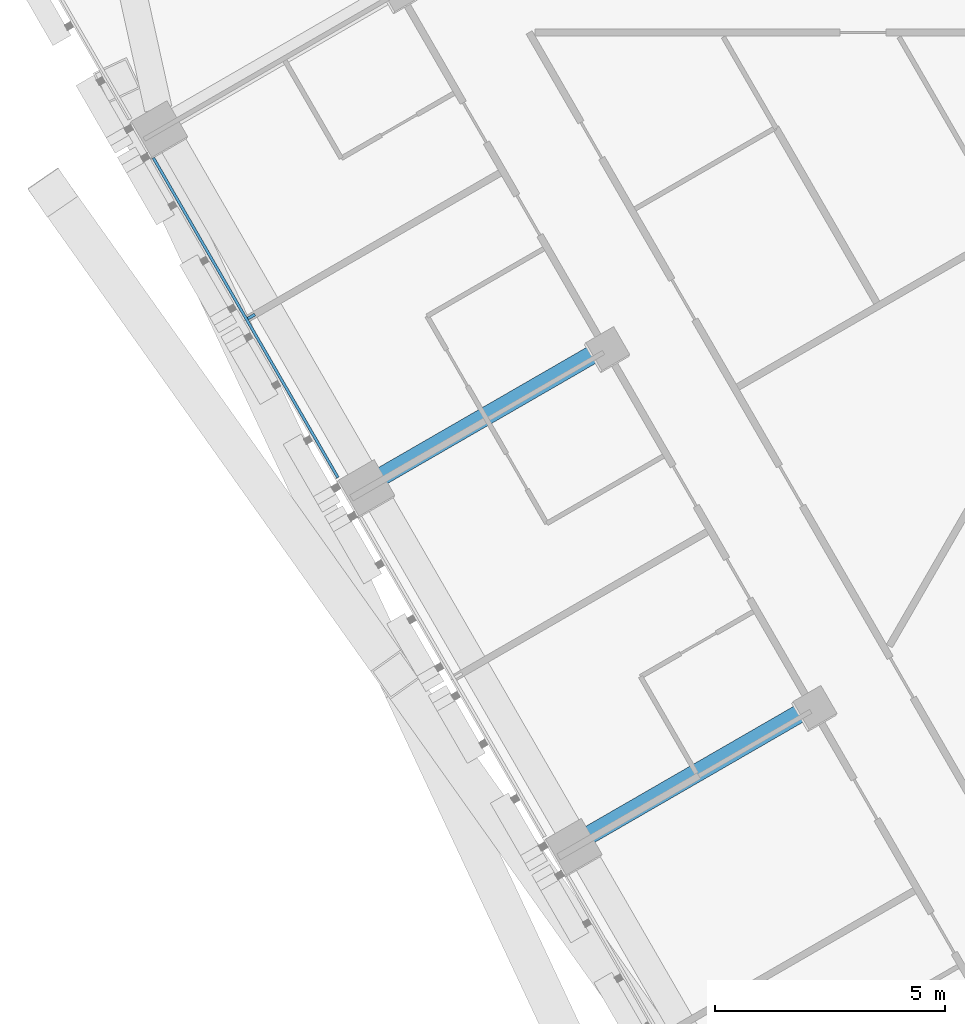
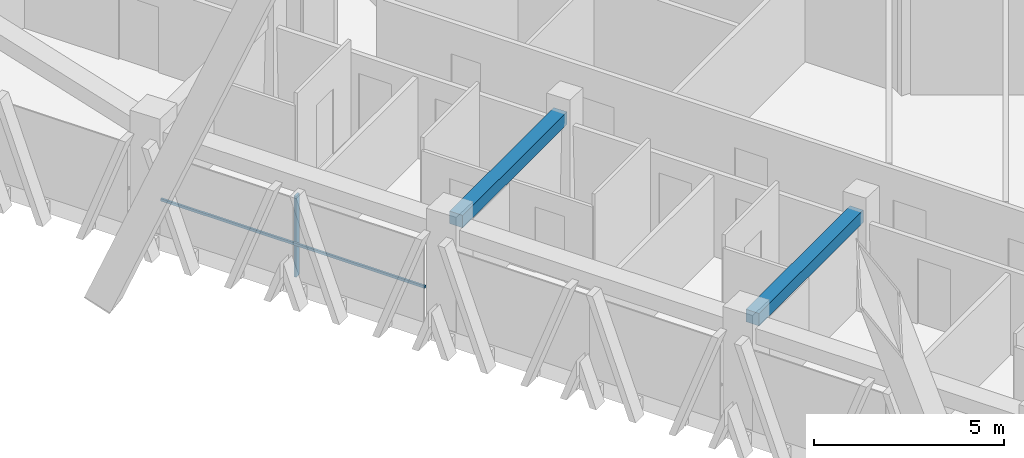
# One storey, part 6 of 23: 2 beams, 2 members, 1 element without a shape of its own.
"""IFC4 building model written with IfcOpenShell, lengths in metres."""

from ifc_helpers import new_model, si_unit, direction, frame, origin, origin_2d, place, context, subcontext, project, spatial, rectangle, extrude, material, layer, layer_set, material_profile, profile_set, type_object, element, aggregate, save


model = new_model("IFC4")

# Units and contexts
model_context = context("Model", 3, precision=1e-05, world=origin(), true_north=direction((0.0, 1.0)))
body_context = subcontext(model_context, "Body", "Model", "MODEL_VIEW")
ifc_project = project(units=[si_unit("LENGTHUNIT", "METRE"), si_unit("AREAUNIT", "SQUARE_METRE"), si_unit("VOLUMEUNIT", "CUBIC_METRE"), si_unit("PLANEANGLEUNIT", "RADIAN"), si_unit("MASSUNIT", "GRAM", prefix="KILO")], contexts=[model_context])

# Site, building, storey
site_placement = place(None, origin())
site = spatial("IfcSite", under=ifc_project, at=site_placement, CompositionType="ELEMENT")
building_placement = place(site_placement, origin())
building = spatial("IfcBuilding", under=site, at=building_placement, Name="Altiplano Prism Tower", CompositionType="ELEMENT")
storey_placement = place(building_placement, frame((0.0, 0.0, 100.800048828125)))
storey = spatial("IfcBuildingStorey", under=building, at=storey_placement, Name="L25", CompositionType="ELEMENT", Elevation=100.800048828125)

# Curtain wall, members
ifc_material_1 = material(Name="Aluminium and glass", Category="aluminium")
ifc_layer = layer(ifc_material_1, 0.280029296875)
ifc_layer_set = layer_set([ifc_layer], Name="Aluminium and glass")
curtain_wall_type = type_object("IfcCurtainWallType", Name="CW1 typical co-living unitised curtain wall", PredefinedType="NOTDEFINED", material=ifc_layer_set)
curtain_wall_placement = place(storey_placement, origin())
curtain_wall = element("IfcCurtainWall", 1, at=curtain_wall_placement, inside=storey, type_object=curtain_wall_type, Name="CW1 curtain wall south-west face L25", PredefinedType="NOTDEFINED")
ifc_material_2 = material(Name="Aluminium", Category="aluminium")
ifc_material_profile_1 = material_profile(ifc_material_2, rectangle(XDim=0.179931640625, YDim=0.06494140625, at=origin_2d()), Name="CW1 mullion 65 x 180")
ifc_profile_set_1 = profile_set([ifc_material_profile_1], Name="Aluminium")
member_type_1 = type_object("IfcMemberType", Name="CW1 mullion 65 x 180", PredefinedType="MULLION", material=ifc_profile_set_1)
member_1_placement = place(storey_placement, frame((64.117919921875, 84.2294921875, 0.0), z_axis=(0.0, 0.0, 1.0), x_axis=(0.866025402825, 0.500000001663, 0.0)))
member_1 = element("IfcMember", 2, at=member_1_placement, type_object=member_type_1, Name="CW1 mullion", PredefinedType="MULLION", context=body_context, shape_type="SweptSolid", body=[
    extrude(rectangle(XDim=0.179931640625, YDim=0.06494140625, at=origin_2d()), origin(), (0.0, 0.0, 1.0), 2.599853515625),
])
ifc_material_profile_2 = material_profile(ifc_material_2, rectangle(XDim=0.06005859375, YDim=0.080078125, at=origin_2d()), Name="CW1 transom 80 x 60")
ifc_profile_set_2 = profile_set([ifc_material_profile_2], Name="Aluminium")
member_type_2 = type_object("IfcMemberType", Name="CW1 transom 80 x 60", PredefinedType="USERDEFINED", material=ifc_profile_set_2)
member_2_placement = place(storey_placement, frame((61.989013671875, 87.6767578125, 1.099853515625), z_axis=(0.499985955615, -0.866033512162, 0.0), x_axis=(0.866033512162, 0.499985955615, 0.0)))
member_2 = element("IfcMember", 3, at=member_2_placement, type_object=member_type_2, Name="CW1 transom", ObjectType="TRANSOM", PredefinedType="USERDEFINED", context=body_context, shape_type="SweptSolid", body=[
    extrude(rectangle(XDim=0.06005859375, YDim=0.080078125, at=origin_2d()), origin(), (0.0, 0.0, 1.0), 8.020263671875),
])
aggregate(curtain_wall, [member_1, member_2])

# Beams
ifc_material_3 = material(Name="Concrete C60/75", Category="concrete")
ifc_material_profile_3 = material_profile(ifc_material_3, rectangle(XDim=0.39990234375, YDim=0.39990234375, at=origin_2d()), Name="Tie beam 400x400")
ifc_profile_set_3 = profile_set([ifc_material_profile_3], Name="Concrete C60/75")
beam_type = type_object("IfcBeamType", Name="Tie beam 400x400", PredefinedType="BEAM", material=ifc_profile_set_3)
for number, where, z_axis, x_axis, name in (
    (4, (71.713134765625, 83.5107421875, 2.89990234375), (-0.866031549307, -0.499989355492, 0.0), (0.499989355492, -0.866031549307, 0.0), "Tie beam I12 L26"),
    (5, (76.213134765625, 75.716552734375, 2.89990234375), (-0.866031549307, -0.499989355492, 0.0), (0.499989355492, -0.866031549307, 0.0), "Tie beam I13 L26"),
):
    element("IfcBeam", number, at=place(storey_placement, frame(where, z_axis=z_axis, x_axis=x_axis)), inside=storey, type_object=beam_type, Name=name, PredefinedType="BEAM", context=body_context, shape_type="SweptSolid", body=[
        extrude(rectangle(XDim=0.39990234375, YDim=0.39990234375, at=origin_2d()), origin(), (0.0, 0.0, 1.0), 5.48974609375),
    ])

save(model, "model.ifc")
